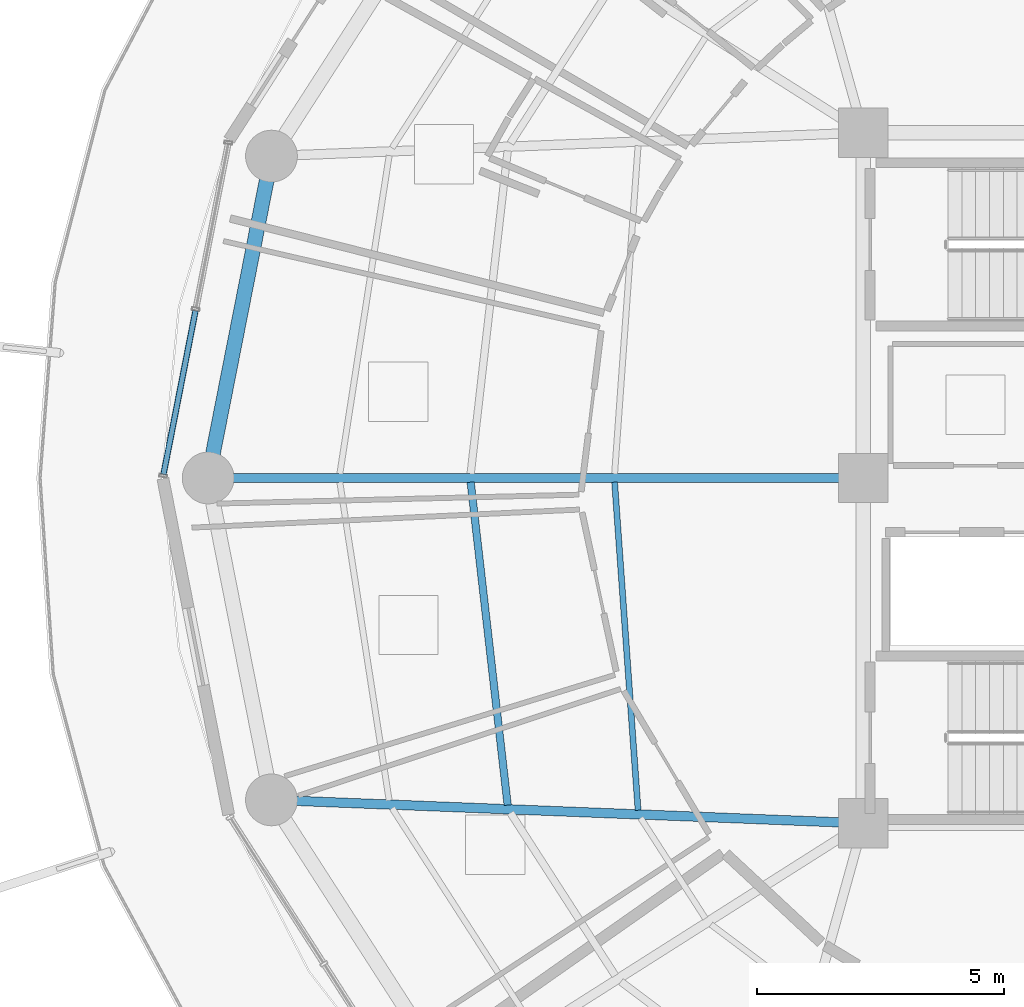
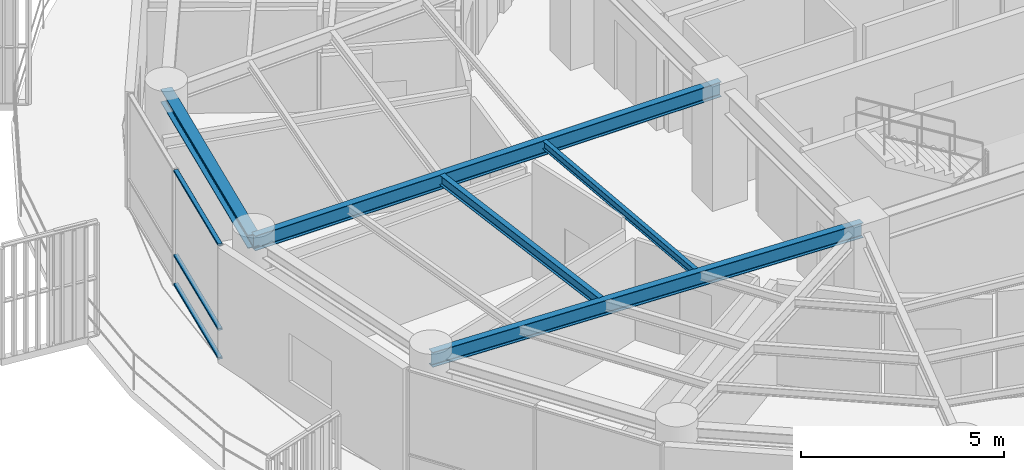
# One storey, part 7 of 31: 5 beams, 3 members, 1 element without a shape of its own.
"""IFC4 building model written with IfcOpenShell, lengths in metres."""

import ifcopenshell
import ifcopenshell.guid

model = None  # the IFC model being written
_history = None  # IfcOwnerHistory: only IFC2X3 demands one
_inside = {}  # id of a spatial element -> (the spatial element, [elements in it])
_under = {}  # id of a project, library or spatial element -> (it, [spatial elements below it])
_declared = {}  # id of a project -> (the project, [libraries it declares])
_typed = {}  # id of a type object -> (the type object, [elements of that type])
_made_of = {}  # id of a material, layer set ... -> (it, [elements and type objects made of it])


def new_model(schema):
    """Start an empty IFC model of exactly this schema.

    Asked for "IFC4X3", IfcOpenShell would pick the latest addendum, in which some entities
    have other attributes; the version numbers below select the first issue.
    IFC2X3 requires an IfcOwnerHistory on every rooted entity: one is made here for all.
    """
    global model, _history
    if schema == "IFC4X3":
        model = ifcopenshell.file(schema_version=(4, 3, 0, 0))
    else:
        model = ifcopenshell.file(schema=schema)
    _inside.clear()
    _under.clear()
    _declared.clear()
    _typed.clear()
    _made_of.clear()
    _history = None
    if model.schema == "IFC2X3":
        org = make("IfcOrganization", Name="unknown")
        user = make(
            "IfcPersonAndOrganization",
            ThePerson=make("IfcPerson", FamilyName="unknown"),
            TheOrganization=org,
        )
        app = make(
            "IfcApplication",
            ApplicationDeveloper=org,
            Version="unknown",
            ApplicationFullName="unknown",
            ApplicationIdentifier="unknown",
        )
        _history = make(
            "IfcOwnerHistory",
            OwningUser=user,
            OwningApplication=app,
            ChangeAction="ADDED",
            CreationDate=0,
        )
    return model


def make(cls, **values):
    """One entity of the class cls with the attributes given. An attribute that is None is left unset."""
    return model.create_entity(
        cls, **{name: value for name, value in values.items() if value is not None}
    )


def rooted(cls, **values):
    """An entity with a GlobalId (a new one), such as an element, a storey or a relation."""
    return make(cls, GlobalId=ifcopenshell.guid.new(), OwnerHistory=_history, **values)


def si_unit(unit_type, name, prefix=None):
    """IfcSIUnit, for example si_unit("LENGTHUNIT", "METRE", prefix="MILLI")."""
    return make("IfcSIUnit", UnitType=unit_type, Prefix=prefix, Name=name)


def assignment(units):
    """IfcUnitAssignment: the units of a project."""
    return None if units is None else make("IfcUnitAssignment", Units=units)


def point(xyz):
    """IfcCartesianPoint."""
    return None if xyz is None else make("IfcCartesianPoint", Coordinates=xyz)


def direction(xyz):
    """IfcDirection."""
    return None if xyz is None else make("IfcDirection", DirectionRatios=xyz)


def frame(location, z_axis=None, x_axis=None):
    """IfcAxis2Placement3D, a coordinate frame: its origin and axes. An axis left out is left unset."""
    return make(
        "IfcAxis2Placement3D",
        Location=point(location),
        Axis=direction(z_axis),
        RefDirection=direction(x_axis),
    )


def frame_2d(location, x_axis=None):
    """IfcAxis2Placement2D, a coordinate frame in the plane: its origin and x axis."""
    return make(
        "IfcAxis2Placement2D", Location=point(location), RefDirection=direction(x_axis)
    )


def origin():
    """The frame at (0, 0, 0) with its axes left unset."""
    return frame((0.0, 0.0, 0.0))


def origin_2d():
    """The frame at (0, 0) in the plane with its x axis left unset."""
    return frame_2d((0.0, 0.0))


def place(relative_to, where):
    """IfcLocalPlacement: puts the frame where relative to a parent placement (None: the world)."""
    return make(
        "IfcLocalPlacement", PlacementRelTo=relative_to, RelativePlacement=where
    )


def context(
    kind, dimensions, precision=None, world=None, true_north=None, identifier=None
):
    """IfcGeometricRepresentationContext, for example the 3D "Model" context."""
    return make(
        "IfcGeometricRepresentationContext",
        ContextIdentifier=identifier,
        ContextType=kind,
        CoordinateSpaceDimension=dimensions,
        Precision=precision,
        WorldCoordinateSystem=world,
        TrueNorth=true_north,
    )


def subcontext(parent, identifier, kind, view, scale=None):
    """IfcGeometricRepresentationSubContext, for example "Body" below "Model"."""
    return make(
        "IfcGeometricRepresentationSubContext",
        ContextIdentifier=identifier,
        ContextType=kind,
        ParentContext=parent,
        TargetScale=scale,
        TargetView=view,
    )


def project(units=None, contexts=None):
    """IfcProject with its units and contexts."""
    return rooted(
        "IfcProject",
        Name="project",
        RepresentationContexts=contexts,
        UnitsInContext=assignment(units),
    )


def spatial(cls, under=None, at=None, **own):
    """A site, building, storey or space (cls), placed at a placement, below another one or the project."""
    s = rooted(cls, ObjectPlacement=at, **own)
    if under is not None:
        _under.setdefault(under.id(), (under, []))[1].append(s)
    return s


def profile(cls, at=None, kind="AREA", **sizes):
    """A parametric profile (cls). Its sizes go by their IFC names, for example OverallWidth=200.0."""
    return make(cls, ProfileType=kind, Position=at, **sizes)


def hollow_rectangle(**sizes):
    """IfcRectangleHollowProfileDef."""
    return profile("IfcRectangleHollowProfileDef", **sizes)


def i_section(**sizes):
    """IfcIShapeProfileDef."""
    return profile("IfcIShapeProfileDef", **sizes)


def extrude(swept, where, along, depth):
    """IfcExtrudedAreaSolid: the profile swept, set in the frame where, extruded along a direction by depth."""
    return make(
        "IfcExtrudedAreaSolid",
        SweptArea=swept,
        Position=where,
        ExtrudedDirection=direction(along),
        Depth=depth,
    )


def shape(context_of_items, identifier, shape_type, items):
    """IfcShapeRepresentation: the items that make up one representation, for example the "Body"."""
    return make(
        "IfcShapeRepresentation",
        ContextOfItems=context_of_items,
        RepresentationIdentifier=identifier,
        RepresentationType=shape_type,
        Items=items,
    )


def material(Name=None, Category=None):
    """IfcMaterial."""
    return make("IfcMaterial", Name=Name, Category=Category)


def layer(
    of_material, thickness, ventilated=None, Name=None, Category=None, Priority=None
):
    """IfcMaterialLayer: one layer of a wall or slab, of a material (None: an air gap)."""
    return make(
        "IfcMaterialLayer",
        Material=of_material,
        LayerThickness=thickness,
        IsVentilated=ventilated,
        Name=Name,
        Category=Category,
        Priority=Priority,
    )


def layer_set(layers, Name=None):
    """IfcMaterialLayerSet."""
    return make("IfcMaterialLayerSet", MaterialLayers=layers, LayerSetName=Name)


def material_profile(
    of_material, cross_section, Name=None, Category=None, Priority=None
):
    """IfcMaterialProfile: a cross section and its material."""
    return make(
        "IfcMaterialProfile",
        Name=Name,
        Material=of_material,
        Profile=cross_section,
        Priority=Priority,
        Category=Category,
    )


def profile_set(profiles, Name=None, composite=None):
    """IfcMaterialProfileSet."""
    return make(
        "IfcMaterialProfileSet",
        Name=Name,
        MaterialProfiles=profiles,
        CompositeProfile=composite,
    )


def made_of(thing, what):
    """Note that an element or type object is made of a material, layer set ...; save() writes the relation."""
    if what is not None:
        _made_of.setdefault(what.id(), (what, []))[1].append(thing)
    return thing


def type_object(cls, material=None, **own):
    """A type object (cls), such as IfcWallType, which elements share."""
    return made_of(rooted(cls, **own), material)


def element(
    cls,
    number,
    at=None,
    inside=None,
    cuts=None,
    type_object=None,
    material=None,
    context=None,
    identifier="Body",
    shape_type=None,
    held_by="IfcProductDefinitionShape",
    body=None,
    shapes=None,
    **own,
):
    """One element of the class cls, such as IfcWall. Its Tag is "e" and its number.

    at: its placement. inside: the storey or other place that contains it. cuts: it is an
    opening in that element (IfcRelVoidsElement). A single representation is given by context,
    identifier, shape_type and body (its items); several are given by shapes. held_by: the class
    of the entity that holds the representations. save() writes the other relations.
    """
    e = rooted(cls, Tag="e%d" % number, ObjectPlacement=at, **own)
    if body is not None:
        shapes = [shape(context, identifier, shape_type, body)]
    if shapes is not None:
        e.Representation = make(held_by, Representations=shapes)
    if inside is not None:
        _inside.setdefault(inside.id(), (inside, []))[1].append(e)
    if cuts is not None:
        rooted(
            "IfcRelVoidsElement", RelatingBuildingElement=cuts, RelatedOpeningElement=e
        )
    if type_object is not None:
        _typed.setdefault(type_object.id(), (type_object, []))[1].append(e)
    return made_of(e, material)


def aggregate(whole, parts):
    """IfcRelAggregates: a whole, such as a stair, and the parts it consists of."""
    return rooted("IfcRelAggregates", RelatingObject=whole, RelatedObjects=parts)


def save(model, path):
    """Write the relations noted so far, then the file.

    IfcRelAggregates (storeys below a building ...), IfcRelContainedInSpatialStructure (elements
    in a storey), IfcRelDefinesByType, IfcRelAssociatesMaterial and IfcRelDeclares: one each for
    every whole, place, type object, material and project.
    """
    for whole, parts in _under.values():
        aggregate(whole, parts)
    for where, things in _inside.values():
        rooted(
            "IfcRelContainedInSpatialStructure",
            RelatedElements=things,
            RelatingStructure=where,
        )
    for kind, things in _typed.values():
        rooted("IfcRelDefinesByType", RelatedObjects=things, RelatingType=kind)
    for what, things in _made_of.values():
        rooted("IfcRelAssociatesMaterial", RelatedObjects=things, RelatingMaterial=what)
    for by, libraries in _declared.values():
        rooted("IfcRelDeclares", RelatingContext=by, RelatedDefinitions=libraries)
    model.write(path)


model = new_model("IFC4")

# Units and contexts
model_context = context("Model", 3, precision=1e-05, world=origin(), true_north=direction((0.0, 1.0)))
body_context = subcontext(model_context, "Body", "Model", "MODEL_VIEW")
ifc_project = project(units=[si_unit("LENGTHUNIT", "METRE"), si_unit("AREAUNIT", "SQUARE_METRE"), si_unit("VOLUMEUNIT", "CUBIC_METRE"), si_unit("PLANEANGLEUNIT", "RADIAN"), si_unit("MASSUNIT", "GRAM", prefix="KILO")], contexts=[model_context])

# Site, building, storey
site_placement = place(None, origin())
site = spatial("IfcSite", under=ifc_project, at=site_placement, CompositionType="ELEMENT")
building_placement = place(site_placement, origin())
building = spatial("IfcBuilding", under=site, at=building_placement, Name="Kelanora Arch Commons", CompositionType="ELEMENT")
storey_placement = place(building_placement, frame((0.0, 0.0, 226.949951171875)))
storey = spatial("IfcBuildingStorey", under=building, at=storey_placement, Name="L58", CompositionType="ELEMENT", Elevation=226.949951171875)

# Beams
ifc_material_1 = material(Name="Steel S355", Category="steel")
ifc_material_profile_1 = material_profile(ifc_material_1, i_section(OverallWidth=0.14990234375, OverallDepth=0.300048828125, WebThickness=0.007080078125, FlangeThickness=0.0107421875, FilletRadius=0.014892578125, at=origin_2d()), Name="IPE300")
ifc_profile_set_1 = profile_set([ifc_material_profile_1], Name="Steel S355")
beam_type_1 = type_object("IfcBeamType", Name="BM-JST-01", PredefinedType="JOIST", material=ifc_profile_set_1)
beam_1_placement = place(storey_placement, frame((58.041748046875, 57.91552734375, 3.340087890625), z_axis=(0.113891408177, -0.993493204377, 0.0), x_axis=(0.993493204377, 0.113891408177, 0.0)))
element("IfcBeam", 1, at=beam_1_placement, inside=storey, type_object=beam_type_1, Name="Secondary Chord Joist BJB-18 L58", PredefinedType="JOIST", context=body_context, shape_type="SweptSolid", body=[
    extrude(i_section(OverallWidth=0.14990234375, OverallDepth=0.300048828125, WebThickness=0.007080078125, FlangeThickness=0.0107421875, FilletRadius=0.014892578125, at=origin_2d()), origin(), (0.0, 0.0, 1.0), 6.589599609375),
])
ifc_material_profile_2 = material_profile(ifc_material_1, i_section(OverallWidth=0.1201171875, OverallDepth=0.239990234375, WebThickness=0.006103515625, FlangeThickness=0.009765625, FilletRadius=0.014892578125, at=origin_2d()), Name="IPE240")
ifc_profile_set_2 = profile_set([ifc_material_profile_2], Name="Steel S355")
beam_type_2 = type_object("IfcBeamType", Name="BM-JST-02", PredefinedType="JOIST", material=ifc_profile_set_2)
beam_2_placement = place(storey_placement, frame((60.959716796875, 57.915283203125, 3.3701171875), z_axis=(0.07133032136, -0.997452748382, 0.0), x_axis=(0.997452748382, 0.07133032136, 0.0)))
element("IfcBeam", 2, at=beam_2_placement, inside=storey, type_object=beam_type_2, Name="Secondary Chord Joist BJA-18 L58", PredefinedType="JOIST", context=body_context, shape_type="SweptSolid", body=[
    extrude(i_section(OverallWidth=0.1201171875, OverallDepth=0.239990234375, WebThickness=0.006103515625, FlangeThickness=0.009765625, FilletRadius=0.014892578125, at=origin_2d()), origin(), (0.0, 0.0, 1.0), 6.66748046875),
])
ifc_material_profile_3 = material_profile(ifc_material_1, i_section(OverallWidth=0.18994140625, OverallDepth=0.449951171875, WebThickness=0.009521484375, FlangeThickness=0.0146484375, FilletRadius=0.02099609375, at=origin_2d()), Name="IPE450")
ifc_profile_set_3 = profile_set([ifc_material_profile_3], Name="Steel S355")
beam_type_3 = type_object("IfcBeamType", Name="BM-RAD-Z4", PredefinedType="BEAM", material=ifc_profile_set_3)
beam_3_placement = place(storey_placement, frame((66.0, 58.0, 3.26513671875), z_axis=(-1.0, 0.0, 0.0), x_axis=(0.0, -1.0, 0.0)))
element("IfcBeam", 3, at=beam_3_placement, inside=storey, type_object=beam_type_3, Name="Radial Floor Girder BR-18 L58", PredefinedType="BEAM", context=body_context, shape_type="SweptSolid", body=[
    extrude(i_section(OverallWidth=0.18994140625, OverallDepth=0.449951171875, WebThickness=0.009521484375, FlangeThickness=0.0146484375, FilletRadius=0.02099609375, at=origin_2d()), origin(), (0.0, 0.0, 1.0), 13.280029296875),
])
beam_4_placement = place(storey_placement, frame((66.0, 51.0, 3.26513671875), z_axis=(-0.999219142585, 0.03951082246, 0.0), x_axis=(-0.03951082246, -0.999219142585, 0.0)))
element("IfcBeam", 4, at=beam_4_placement, inside=storey, type_object=beam_type_3, Name="Radial Floor Girder BR-20 L58", PredefinedType="BEAM", context=body_context, shape_type="SweptSolid", body=[
    extrude(i_section(OverallWidth=0.18994140625, OverallDepth=0.449951171875, WebThickness=0.009521484375, FlangeThickness=0.0146484375, FilletRadius=0.02099609375, at=origin_2d()), origin(), (0.0, 0.0, 1.0), 12.005859375),
])
ifc_material_profile_4 = material_profile(ifc_material_1, i_section(OverallWidth=0.300048828125, OverallDepth=0.39990234375, WebThickness=0.013427734375, FlangeThickness=0.02392578125, FilletRadius=0.027099609375, at=origin_2d()), Name="HEB400")
ifc_profile_set_4 = profile_set([ifc_material_profile_4], Name="Steel S355")
beam_type_4 = type_object("IfcBeamType", Name="BM-SPN-Z4", PredefinedType="SPANDREL", material=ifc_profile_set_4)
beam_5_placement = place(storey_placement, frame((54.00341796875, 64.525634765625, 3.2900390625), z_axis=(-0.192980724826, -0.981202547819, 0.0), x_axis=(0.981202547819, -0.192980724826, 0.0)))
element("IfcBeam", 5, at=beam_5_placement, inside=storey, type_object=beam_type_4, Name="Perimeter Spandrel Beam BS-16 L58", PredefinedType="SPANDREL", context=body_context, shape_type="SweptSolid", body=[
    extrude(i_section(OverallWidth=0.300048828125, OverallDepth=0.39990234375, WebThickness=0.013427734375, FlangeThickness=0.02392578125, FilletRadius=0.027099609375, at=origin_2d()), origin(), (0.0, 0.0, 1.0), 6.650634765625),
])

# Curtain wall, members
ifc_material_2 = material(Name="Terracotta ceramic-fritted low-E glass and aluminium", Category="masonry")
ifc_layer = layer(ifc_material_2, 0.175048828125)
ifc_layer_set = layer_set([ifc_layer], Name="Terracotta ceramic-fritted low-E glass and aluminium")
curtain_wall_type = type_object("IfcCurtainWallType", Name="CW-SYS-02", PredefinedType="NOTDEFINED", material=ifc_layer_set)
curtain_wall_placement = place(storey_placement, origin())
curtain_wall = element("IfcCurtainWall", 6, at=curtain_wall_placement, inside=storey, type_object=curtain_wall_type, Name="Unitised Curtain Wall L58-B08", PredefinedType="NOTDEFINED")
ifc_material_3 = material(Name="Powder-coated aluminium terracotta", Category="masonry")
ifc_material_profile_5 = material_profile(ifc_material_3, hollow_rectangle(XDim=0.1201171875, YDim=0.06005859375, WallThickness=0.0048828125, InnerFilletRadius=0.0048828125, OuterFilletRadius=0.010009765625, at=origin_2d()), Name="CWT120x60")
ifc_profile_set_5 = profile_set([ifc_material_profile_5], Name="Powder-coated aluminium terracotta")
member_type = type_object("IfcMemberType", Name="CWT-STD", PredefinedType="USERDEFINED", material=ifc_profile_set_5)
member_1_placement = place(storey_placement, frame((52.463623046875, 61.390869140625, 0.030029296875), z_axis=(-0.192044874899, -0.981386145218, 0.0), x_axis=(0.981386145218, -0.192044874899, 0.0)))
member_1 = element("IfcMember", 7, at=member_1_placement, type_object=member_type, Name="CW-02 transom 2.1", ObjectType="TRANSOM", PredefinedType="USERDEFINED", context=body_context, shape_type="SweptSolid", body=[
    extrude(hollow_rectangle(XDim=0.1201171875, YDim=0.06005859375, WallThickness=0.0048828125, InnerFilletRadius=0.0048828125, OuterFilletRadius=0.010009765625, at=origin_2d()), origin(), (0.0, 0.0, 1.0), 3.38037109375),
])
member_2_placement = place(storey_placement, frame((52.463623046875, 61.390869140625, 0.900146484375), z_axis=(-0.192044874899, -0.981386145218, 0.0), x_axis=(0.981386145218, -0.192044874899, 0.0)))
member_2 = element("IfcMember", 8, at=member_2_placement, type_object=member_type, Name="CW-02 transom 2.2", ObjectType="TRANSOM", PredefinedType="USERDEFINED", context=body_context, shape_type="SweptSolid", body=[
    extrude(hollow_rectangle(XDim=0.1201171875, YDim=0.06005859375, WallThickness=0.0048828125, InnerFilletRadius=0.0048828125, OuterFilletRadius=0.010009765625, at=origin_2d()), origin(), (0.0, 0.0, 1.0), 3.38037109375),
])
member_3_placement = place(storey_placement, frame((52.463623046875, 61.390869140625, 3.445068359375), z_axis=(-0.192044874899, -0.981386145218, 0.0), x_axis=(0.981386145218, -0.192044874899, 0.0)))
member_3 = element("IfcMember", 9, at=member_3_placement, type_object=member_type, Name="CW-02 transom 2.3", ObjectType="TRANSOM", PredefinedType="USERDEFINED", context=body_context, shape_type="SweptSolid", body=[
    extrude(hollow_rectangle(XDim=0.1201171875, YDim=0.06005859375, WallThickness=0.0048828125, InnerFilletRadius=0.0048828125, OuterFilletRadius=0.010009765625, at=origin_2d()), origin(), (0.0, 0.0, 1.0), 3.38037109375),
])
aggregate(curtain_wall, [member_1, member_2, member_3])

save(model, "model.ifc")
